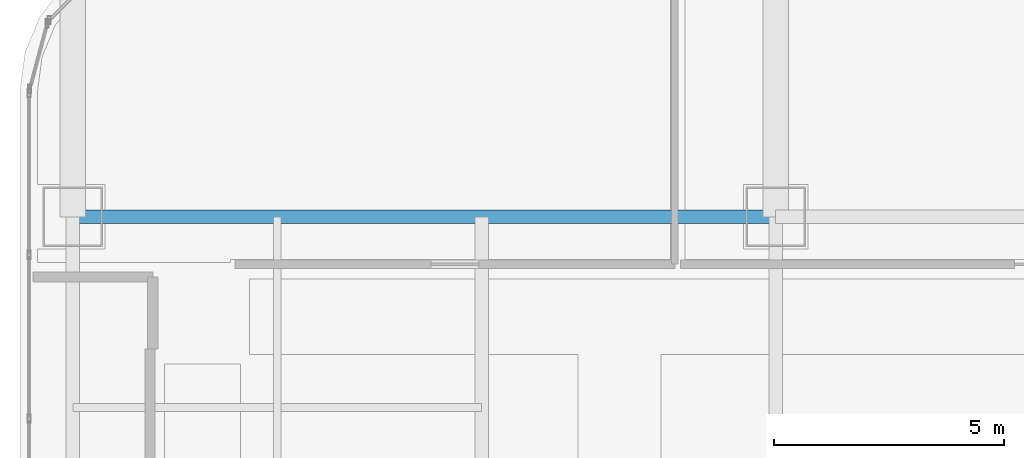
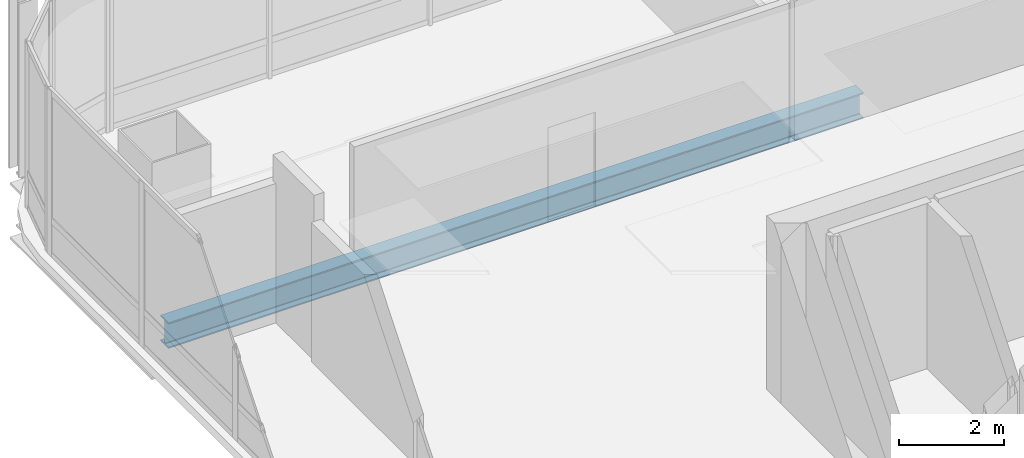
# One storey, part 23 of 42: 1 beam.
"""IFC4 building model written with IfcOpenShell, lengths in metres."""

from ifc_helpers import new_model, si_unit, direction, frame, origin, origin_2d, place, context, subcontext, project, spatial, i_section, extrude, material, material_profile, profile_set, type_object, element, save


model = new_model("IFC4")

# Units and contexts
model_context = context("Model", 3, precision=1e-05, world=origin(), true_north=direction((0.0, 1.0)))
body_context = subcontext(model_context, "Body", "Model", "MODEL_VIEW")
ifc_project = project(units=[si_unit("LENGTHUNIT", "METRE"), si_unit("AREAUNIT", "SQUARE_METRE"), si_unit("VOLUMEUNIT", "CUBIC_METRE"), si_unit("PLANEANGLEUNIT", "RADIAN"), si_unit("MASSUNIT", "GRAM", prefix="KILO")], contexts=[model_context])

# Site, building, storey
site_placement = place(None, origin())
site = spatial("IfcSite", under=ifc_project, at=site_placement, CompositionType="ELEMENT")
building_placement = place(site_placement, origin())
building = spatial("IfcBuilding", under=site, at=building_placement, Name="Punatoya Terracotta Tower", CompositionType="ELEMENT")
storey_placement = place(building_placement, frame((0.0, 0.0, 263.550048828125)))
storey = spatial("IfcBuildingStorey", under=building, at=storey_placement, Name="L62", CompositionType="ELEMENT", Elevation=263.550048828125)

# Beam
ifc_material = material(Name="Steel S355", Category="steel")
ifc_material_profile = material_profile(ifc_material, i_section(OverallWidth=0.300048828125, OverallDepth=0.60009765625, WebThickness=0.015380859375, FlangeThickness=0.030029296875, FilletRadius=0.01806640625, at=origin_2d()))
ifc_profile_set = profile_set([ifc_material_profile], Name="Steel S355")
beam_type = type_object("IfcBeamType", Name="BM-PRI-600", PredefinedType="BEAM", material=ifc_profile_set)
beam_placement = place(storey_placement, frame((-19.10009765625, 17.5, -0.5), z_axis=(1.0, 0.0, 0.0), x_axis=(0.0, 1.0, 0.0)))
element("IfcBeam", 1, at=beam_placement, inside=storey, type_object=beam_type, Name="BM-L62-RG-N1", PredefinedType="BEAM", context=body_context, shape_type="SweptSolid", body=[
    extrude(i_section(OverallWidth=0.300048828125, OverallDepth=0.60009765625, WebThickness=0.015380859375, FlangeThickness=0.030029296875, FilletRadius=0.01806640625, at=origin_2d()), origin(), (0.0, 0.0, 1.0), 15.300048828125),
])

save(model, "model.ifc")
